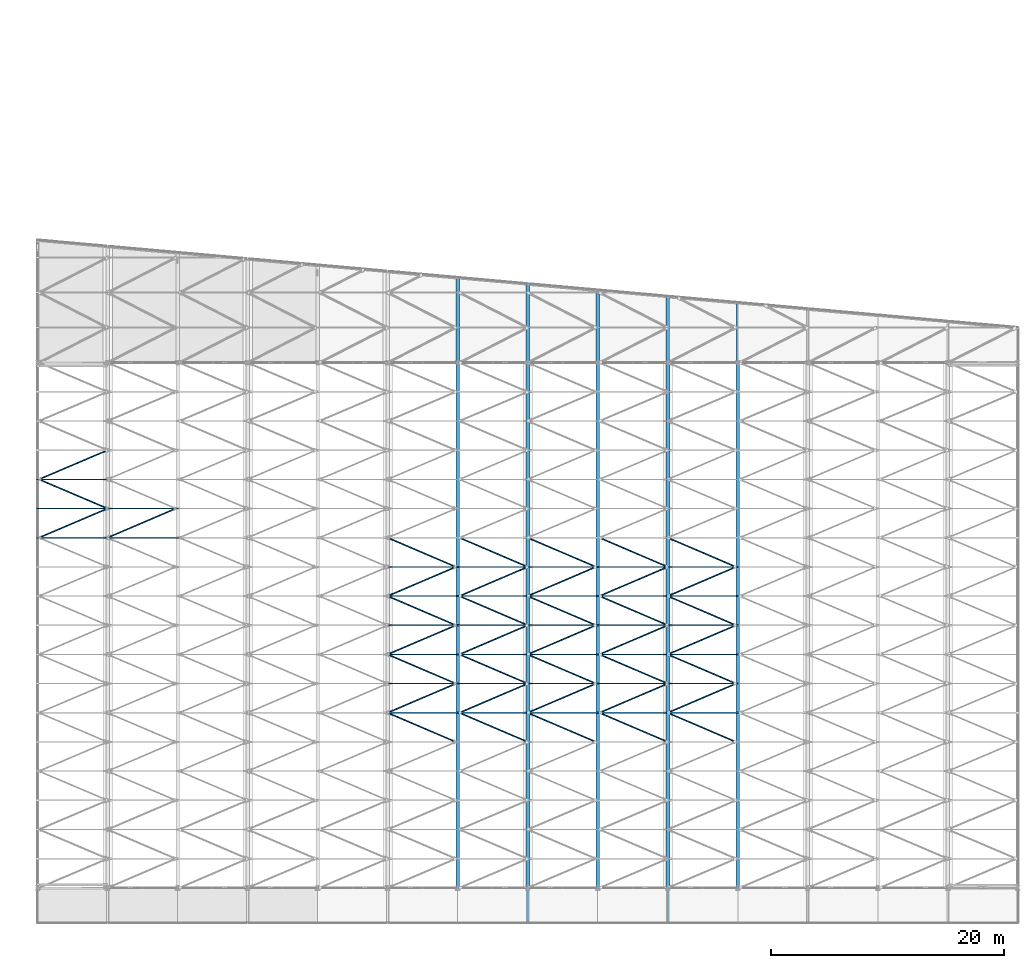
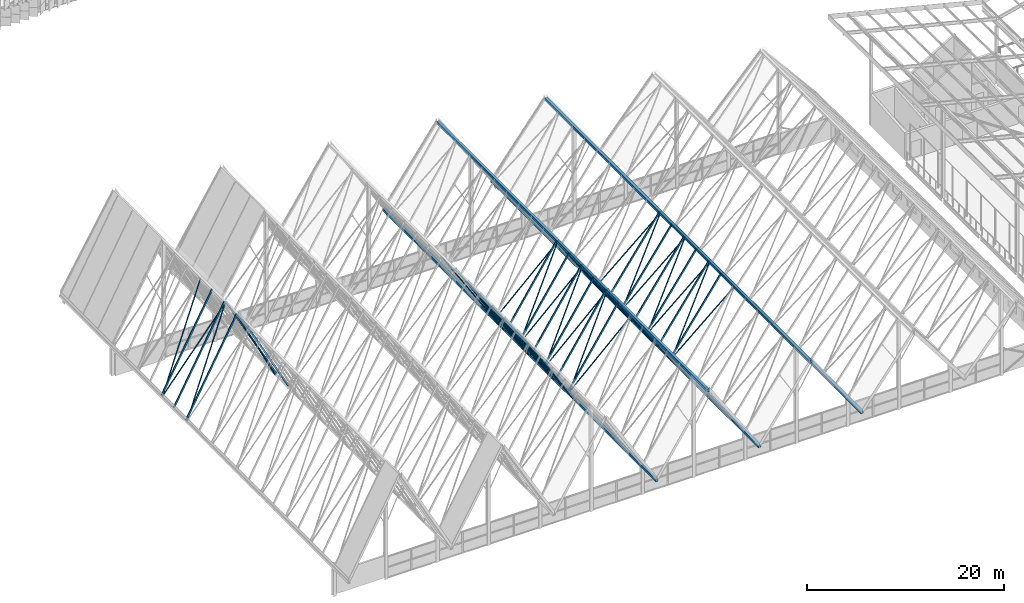
# One storey, part 18 of 483: 79 members.
"""IFC4 building model written with IfcOpenShell, lengths in metres."""

from ifc_helpers import new_model, si_unit, direction, frame, origin, origin_2d, place, context, subcontext, project, spatial, hollow_rectangle, hollow_circle, extrude, material, material_profile, profile_set, type_object, element, save


model = new_model("IFC4")

# Units and contexts
model_context = context("Model", 3, precision=1e-05, world=origin(), true_north=direction((0.0, 1.0)))
body_context = subcontext(model_context, "Body", "Model", "MODEL_VIEW")
ifc_project = project(units=[si_unit("LENGTHUNIT", "METRE"), si_unit("AREAUNIT", "SQUARE_METRE"), si_unit("VOLUMEUNIT", "CUBIC_METRE"), si_unit("PLANEANGLEUNIT", "RADIAN"), si_unit("MASSUNIT", "GRAM", prefix="KILO")], contexts=[model_context])

# Site, building, storey
site_placement = place(None, origin())
site = spatial("IfcSite", under=ifc_project, at=site_placement, CompositionType="ELEMENT")
building_placement = place(site_placement, origin())
building = spatial("IfcBuilding", under=site, at=building_placement, Name="Parallax Yard Mobility Hub", CompositionType="ELEMENT")
storey_placement = place(building_placement, frame((0.0, 0.0, 13.199951171875)))
storey = spatial("IfcBuildingStorey", under=building, at=storey_placement, Name="L04", CompositionType="ELEMENT", Elevation=13.199951171875)

# Members
ifc_material = material(Name="Steel ASTM A500 Gr C", Category="steel")
ifc_material_profile_1 = material_profile(ifc_material, hollow_rectangle(XDim=0.3046875, YDim=0.3046875, WallThickness=0.0126953125, at=origin_2d()), Name="HSS305x305x12.7")
ifc_profile_set_1 = profile_set([ifc_material_profile_1], Name="Steel ASTM A500 Gr C")
member_type_1 = type_object("IfcMemberType", Name="Fold chord HSS305x305x12.7", PredefinedType="CHORD", material=ifc_profile_set_1)
member_1_placement = place(storey_placement, frame((51.0, 4.5, 12.452392578125), z_axis=(0.0, 1.0, 0.0), x_axis=(-1.0, 0.0, 0.0)))
element("IfcMember", 1, at=member_1_placement, inside=storey, type_object=member_type_1, Name="Fold line F8 chord", PredefinedType="CHORD", context=body_context, shape_type="SweptSolid", body=[
    extrude(hollow_rectangle(XDim=0.3046875, YDim=0.3046875, WallThickness=0.0126953125, at=origin_2d()), origin(), (0.0, 0.0, 1.0), 54.75),
])
member_2_placement = place(storey_placement, frame((63.0, 4.5, 11.785400390625), z_axis=(0.0, 1.0, 0.0), x_axis=(-1.0, 0.0, 0.0)))
element("IfcMember", 2, at=member_2_placement, inside=storey, type_object=member_type_1, Name="Fold line F10 chord", PredefinedType="CHORD", context=body_context, shape_type="SweptSolid", body=[
    extrude(hollow_rectangle(XDim=0.3046875, YDim=0.3046875, WallThickness=0.0126953125, at=origin_2d()), origin(), (0.0, 0.0, 1.0), 53.6787109375),
])
ifc_material_profile_2 = material_profile(ifc_material, hollow_rectangle(XDim=0.3046875, YDim=0.3046875, WallThickness=0.009521484375, at=origin_2d()), Name="HSS305x305x9.5")
ifc_profile_set_2 = profile_set([ifc_material_profile_2], Name="Steel ASTM A500 Gr C")
member_type_2 = type_object("IfcMemberType", Name="Fold chord HSS305x305x9.5", PredefinedType="CHORD", material=ifc_profile_set_2)
member_3_placement = place(storey_placement, frame((45.0, 4.5, 3.452392578125), z_axis=(0.0, 1.0, 0.0), x_axis=(-1.0, 0.0, 0.0)))
element("IfcMember", 3, at=member_3_placement, inside=storey, type_object=member_type_2, Name="Fold line F7 chord", PredefinedType="CHORD", context=body_context, shape_type="SweptSolid", body=[
    extrude(hollow_rectangle(XDim=0.3046875, YDim=0.3046875, WallThickness=0.009521484375, at=origin_2d()), origin(), (0.0, 0.0, 1.0), 55.28564453125),
])
member_4_placement = place(storey_placement, frame((57.0, 4.5, 3.452392578125), z_axis=(0.0, 1.0, 0.0), x_axis=(-1.0, 0.0, 0.0)))
element("IfcMember", 4, at=member_4_placement, inside=storey, type_object=member_type_2, Name="Fold line F9 chord", PredefinedType="CHORD", context=body_context, shape_type="SweptSolid", body=[
    extrude(hollow_rectangle(XDim=0.3046875, YDim=0.3046875, WallThickness=0.009521484375, at=origin_2d()), origin(), (0.0, 0.0, 1.0), 54.21435546875),
])
member_5_placement = place(storey_placement, frame((69.0, 4.5, 3.452392578125), z_axis=(0.0, 1.0, 0.0), x_axis=(-1.0, 0.0, 0.0)))
element("IfcMember", 5, at=member_5_placement, inside=storey, type_object=member_type_2, Name="Fold line F11 chord", PredefinedType="CHORD", context=body_context, shape_type="SweptSolid", body=[
    extrude(hollow_rectangle(XDim=0.3046875, YDim=0.3046875, WallThickness=0.009521484375, at=origin_2d()), origin(), (0.0, 0.0, 1.0), 53.142822265625),
])
ifc_material_profile_3 = material_profile(ifc_material, hollow_circle(Radius=0.06982421875, WallThickness=0.00634765625, at=origin_2d()), Name="HSS139.7x6.4")
ifc_profile_set_3 = profile_set([ifc_material_profile_3], Name="Steel ASTM A500 Gr C")
member_type_3 = type_object("IfcMemberType", Name="Plate diagonal HSS139.7x6.4", PredefinedType="BRACE", material=ifc_profile_set_3)
member_6_placement = place(storey_placement, frame((68.84765625, 20.0, 3.4111328125), z_axis=(-0.55979258078, 0.239323481429, 0.793319946643), x_axis=(-0.393103707527, -0.919494140888, 0.0)))
element("IfcMember", 6, at=member_6_placement, inside=storey, type_object=member_type_3, Name="Plate diagonal plate F10-F11 bay 6", PredefinedType="BRACE", context=body_context, shape_type="SweptSolid", body=[
    extrude(hollow_circle(Radius=0.06982421875, WallThickness=0.00634765625, at=origin_2d()), origin(), (0.0, 0.0, 1.0), 10.446044921875),
])
member_7_placement = place(storey_placement, frame((44.84765625, 20.0, 3.4130859375), z_axis=(-0.507735199294, 0.217067820673, 0.833718494833), x_axis=(-0.393103707527, -0.919494140888, 0.0)))
element("IfcMember", 7, at=member_7_placement, inside=storey, type_object=member_type_3, Name="Plate diagonal plate F6-F7 bay 6", PredefinedType="BRACE", context=body_context, shape_type="SweptSolid", body=[
    extrude(hollow_circle(Radius=0.06982421875, WallThickness=0.00634765625, at=origin_2d()), origin(), (0.0, 0.0, 1.0), 11.51708984375),
])
for number, where, z_axis, x_axis, name in (
    (8, (51.0, 20.0, 12.35693359375), (-0.532816122499, 0.227790459853, -0.814996003674), (-0.393103707527, -0.919494140888, 0.0), "Plate diagonal plate F7-F8 bay 6"),
    (9, (56.84765625, 20.0, 3.412353515625), (-0.532816122499, 0.227790459853, 0.814996003674), (-0.393103707527, -0.919494140888, 0.0), "Plate diagonal plate F8-F9 bay 6"),
):
    element("IfcMember", number, at=place(storey_placement, frame(where, z_axis=z_axis, x_axis=x_axis)), inside=storey, type_object=member_type_3, Name=name, PredefinedType="BRACE", context=body_context, shape_type="SweptSolid", body=[
        extrude(hollow_circle(Radius=0.06982421875, WallThickness=0.00634765625, at=origin_2d()), origin(), (0.0, 0.0, 1.0), 10.97509765625),
    ])
for number, where, z_axis, x_axis, name in (
    (10, (63.0, 20.0, 11.6982421875), (-0.55979258078, 0.239323481429, -0.793319946643), (-0.393103707527, -0.919494140888, 0.0), "Plate diagonal plate F9-F10 bay 6"),
    (11, (63.0, 22.5, 11.6982421875), (0.55979258078, 0.239323481429, -0.793319946643), (-0.393103707527, 0.919494140888, 0.0), "Plate diagonal plate F10-F11 bay 7"),
):
    element("IfcMember", number, at=place(storey_placement, frame(where, z_axis=z_axis, x_axis=x_axis)), inside=storey, type_object=member_type_3, Name=name, PredefinedType="BRACE", context=body_context, shape_type="SweptSolid", body=[
        extrude(hollow_circle(Radius=0.06982421875, WallThickness=0.00634765625, at=origin_2d()), origin(), (0.0, 0.0, 1.0), 10.446044921875),
    ])
member_8_placement = place(storey_placement, frame((39.0, 22.5, 13.01513671875), z_axis=(0.507735199294, 0.217067820673, -0.833718494833), x_axis=(-0.393103707527, 0.919494140888, 0.0)))
element("IfcMember", 12, at=member_8_placement, inside=storey, type_object=member_type_3, Name="Plate diagonal plate F6-F7 bay 7", PredefinedType="BRACE", context=body_context, shape_type="SweptSolid", body=[
    extrude(hollow_circle(Radius=0.06982421875, WallThickness=0.00634765625, at=origin_2d()), origin(), (0.0, 0.0, 1.0), 11.51708984375),
])
for number, where, z_axis, x_axis, name in (
    (13, (45.15234375, 22.5, 3.412353515625), (0.532816122499, 0.227790459853, 0.814996003674), (-0.393103707527, 0.919494140888, 0.0), "Plate diagonal plate F7-F8 bay 7"),
    (14, (51.0, 22.5, 12.35693359375), (0.532816122499, 0.227790459853, -0.814996003674), (-0.393103707527, 0.919494140888, 0.0), "Plate diagonal plate F8-F9 bay 7"),
):
    element("IfcMember", number, at=place(storey_placement, frame(where, z_axis=z_axis, x_axis=x_axis)), inside=storey, type_object=member_type_3, Name=name, PredefinedType="BRACE", context=body_context, shape_type="SweptSolid", body=[
        extrude(hollow_circle(Radius=0.06982421875, WallThickness=0.00634765625, at=origin_2d()), origin(), (0.0, 0.0, 1.0), 10.97509765625),
    ])
for number, where, z_axis, x_axis, name in (
    (15, (57.15234375, 22.5, 3.4111328125), (0.55979258078, 0.239323481429, 0.793319946643), (-0.393103707527, 0.919494140888, 0.0), "Plate diagonal plate F9-F10 bay 7"),
    (16, (68.84765625, 25.0, 3.4111328125), (-0.55979258078, 0.239323481429, 0.793319946643), (-0.393103707527, -0.919494140888, 0.0), "Plate diagonal plate F10-F11 bay 8"),
):
    element("IfcMember", number, at=place(storey_placement, frame(where, z_axis=z_axis, x_axis=x_axis)), inside=storey, type_object=member_type_3, Name=name, PredefinedType="BRACE", context=body_context, shape_type="SweptSolid", body=[
        extrude(hollow_circle(Radius=0.06982421875, WallThickness=0.00634765625, at=origin_2d()), origin(), (0.0, 0.0, 1.0), 10.446044921875),
    ])
member_9_placement = place(storey_placement, frame((44.84765625, 25.0, 3.4130859375), z_axis=(-0.507735199294, 0.217067820673, 0.833718494833), x_axis=(-0.393103707527, -0.919494140888, 0.0)))
element("IfcMember", 17, at=member_9_placement, inside=storey, type_object=member_type_3, Name="Plate diagonal plate F6-F7 bay 8", PredefinedType="BRACE", context=body_context, shape_type="SweptSolid", body=[
    extrude(hollow_circle(Radius=0.06982421875, WallThickness=0.00634765625, at=origin_2d()), origin(), (0.0, 0.0, 1.0), 11.51708984375),
])
for number, where, z_axis, x_axis, name in (
    (18, (51.0, 25.0, 12.35693359375), (-0.532816122499, 0.227790459853, -0.814996003674), (-0.393103707527, -0.919494140888, 0.0), "Plate diagonal plate F7-F8 bay 8"),
    (19, (56.84765625, 25.0, 3.412353515625), (-0.532816122499, 0.227790459853, 0.814996003674), (-0.393103707527, -0.919494140888, 0.0), "Plate diagonal plate F8-F9 bay 8"),
):
    element("IfcMember", number, at=place(storey_placement, frame(where, z_axis=z_axis, x_axis=x_axis)), inside=storey, type_object=member_type_3, Name=name, PredefinedType="BRACE", context=body_context, shape_type="SweptSolid", body=[
        extrude(hollow_circle(Radius=0.06982421875, WallThickness=0.00634765625, at=origin_2d()), origin(), (0.0, 0.0, 1.0), 10.97509765625),
    ])
for number, where, z_axis, x_axis, name in (
    (20, (63.0, 25.0, 11.6982421875), (-0.55979258078, 0.239323481429, -0.793319946643), (-0.393103707527, -0.919494140888, 0.0), "Plate diagonal plate F9-F10 bay 8"),
    (21, (63.0, 27.5, 11.6982421875), (0.55979258078, 0.239323481429, -0.793319946643), (-0.393103707527, 0.919494140888, 0.0), "Plate diagonal plate F10-F11 bay 9"),
):
    element("IfcMember", number, at=place(storey_placement, frame(where, z_axis=z_axis, x_axis=x_axis)), inside=storey, type_object=member_type_3, Name=name, PredefinedType="BRACE", context=body_context, shape_type="SweptSolid", body=[
        extrude(hollow_circle(Radius=0.06982421875, WallThickness=0.00634765625, at=origin_2d()), origin(), (0.0, 0.0, 1.0), 10.446044921875),
    ])
member_10_placement = place(storey_placement, frame((39.0, 27.5, 13.01513671875), z_axis=(0.507735199294, 0.217067820673, -0.833718494833), x_axis=(-0.393103707527, 0.919494140888, 0.0)))
element("IfcMember", 22, at=member_10_placement, inside=storey, type_object=member_type_3, Name="Plate diagonal plate F6-F7 bay 9", PredefinedType="BRACE", context=body_context, shape_type="SweptSolid", body=[
    extrude(hollow_circle(Radius=0.06982421875, WallThickness=0.00634765625, at=origin_2d()), origin(), (0.0, 0.0, 1.0), 11.51708984375),
])
for number, where, z_axis, x_axis, name in (
    (23, (45.15234375, 27.5, 3.412353515625), (0.532816122499, 0.227790459853, 0.814996003674), (-0.393103707527, 0.919494140888, 0.0), "Plate diagonal plate F7-F8 bay 9"),
    (24, (51.0, 27.5, 12.35693359375), (0.532816122499, 0.227790459853, -0.814996003674), (-0.393103707527, 0.919494140888, 0.0), "Plate diagonal plate F8-F9 bay 9"),
):
    element("IfcMember", number, at=place(storey_placement, frame(where, z_axis=z_axis, x_axis=x_axis)), inside=storey, type_object=member_type_3, Name=name, PredefinedType="BRACE", context=body_context, shape_type="SweptSolid", body=[
        extrude(hollow_circle(Radius=0.06982421875, WallThickness=0.00634765625, at=origin_2d()), origin(), (0.0, 0.0, 1.0), 10.97509765625),
    ])
for number, where, z_axis, x_axis, name in (
    (25, (57.15234375, 27.5, 3.4111328125), (0.55979258078, 0.239323481429, 0.793319946643), (-0.393103707527, 0.919494140888, 0.0), "Plate diagonal plate F9-F10 bay 9"),
    (26, (68.84765625, 30.0, 3.4111328125), (-0.55979258078, 0.239323481429, 0.793319946643), (-0.393103707527, -0.919494140888, 0.0), "Plate diagonal plate F10-F11 bay 10"),
):
    element("IfcMember", number, at=place(storey_placement, frame(where, z_axis=z_axis, x_axis=x_axis)), inside=storey, type_object=member_type_3, Name=name, PredefinedType="BRACE", context=body_context, shape_type="SweptSolid", body=[
        extrude(hollow_circle(Radius=0.06982421875, WallThickness=0.00634765625, at=origin_2d()), origin(), (0.0, 0.0, 1.0), 10.446044921875),
    ])
member_11_placement = place(storey_placement, frame((44.84765625, 30.0, 3.4130859375), z_axis=(-0.507735199294, 0.217067820673, 0.833718494833), x_axis=(-0.393103707527, -0.919494140888, 0.0)))
element("IfcMember", 27, at=member_11_placement, inside=storey, type_object=member_type_3, Name="Plate diagonal plate F6-F7 bay 10", PredefinedType="BRACE", context=body_context, shape_type="SweptSolid", body=[
    extrude(hollow_circle(Radius=0.06982421875, WallThickness=0.00634765625, at=origin_2d()), origin(), (0.0, 0.0, 1.0), 11.51708984375),
])
for number, where, z_axis, x_axis, name in (
    (28, (51.0, 30.0, 12.35693359375), (-0.532816122499, 0.227790459853, -0.814996003674), (-0.393103707527, -0.919494140888, 0.0), "Plate diagonal plate F7-F8 bay 10"),
    (29, (56.84765625, 30.0, 3.412353515625), (-0.532816122499, 0.227790459853, 0.814996003674), (-0.393103707527, -0.919494140888, 0.0), "Plate diagonal plate F8-F9 bay 10"),
):
    element("IfcMember", number, at=place(storey_placement, frame(where, z_axis=z_axis, x_axis=x_axis)), inside=storey, type_object=member_type_3, Name=name, PredefinedType="BRACE", context=body_context, shape_type="SweptSolid", body=[
        extrude(hollow_circle(Radius=0.06982421875, WallThickness=0.00634765625, at=origin_2d()), origin(), (0.0, 0.0, 1.0), 10.97509765625),
    ])
for number, where, z_axis, x_axis, name in (
    (30, (63.0, 30.0, 11.6982421875), (-0.55979258078, 0.239323481429, -0.793319946643), (-0.393103707527, -0.919494140888, 0.0), "Plate diagonal plate F9-F10 bay 10"),
    (31, (63.0, 32.5, 11.6982421875), (0.55979258078, 0.239323481429, -0.793319946643), (-0.393103707527, 0.919494140888, 0.0), "Plate diagonal plate F10-F11 bay 11"),
):
    element("IfcMember", number, at=place(storey_placement, frame(where, z_axis=z_axis, x_axis=x_axis)), inside=storey, type_object=member_type_3, Name=name, PredefinedType="BRACE", context=body_context, shape_type="SweptSolid", body=[
        extrude(hollow_circle(Radius=0.06982421875, WallThickness=0.00634765625, at=origin_2d()), origin(), (0.0, 0.0, 1.0), 10.446044921875),
    ])
member_12_placement = place(storey_placement, frame((39.0, 32.5, 13.01513671875), z_axis=(0.507735199294, 0.217067820673, -0.833718494833), x_axis=(-0.393103707527, 0.919494140888, 0.0)))
element("IfcMember", 32, at=member_12_placement, inside=storey, type_object=member_type_3, Name="Plate diagonal plate F6-F7 bay 11", PredefinedType="BRACE", context=body_context, shape_type="SweptSolid", body=[
    extrude(hollow_circle(Radius=0.06982421875, WallThickness=0.00634765625, at=origin_2d()), origin(), (0.0, 0.0, 1.0), 11.51708984375),
])
for number, where, z_axis, x_axis, name in (
    (33, (45.15234375, 32.5, 3.412353515625), (0.532816122499, 0.227790459853, 0.814996003674), (-0.393103707527, 0.919494140888, 0.0), "Plate diagonal plate F7-F8 bay 11"),
    (34, (51.0, 32.5, 12.35693359375), (0.532816122499, 0.227790459853, -0.814996003674), (-0.393103707527, 0.919494140888, 0.0), "Plate diagonal plate F8-F9 bay 11"),
):
    element("IfcMember", number, at=place(storey_placement, frame(where, z_axis=z_axis, x_axis=x_axis)), inside=storey, type_object=member_type_3, Name=name, PredefinedType="BRACE", context=body_context, shape_type="SweptSolid", body=[
        extrude(hollow_circle(Radius=0.06982421875, WallThickness=0.00634765625, at=origin_2d()), origin(), (0.0, 0.0, 1.0), 10.97509765625),
    ])
for number, where, z_axis, x_axis, name in (
    (35, (57.15234375, 32.5, 3.4111328125), (0.55979258078, 0.239323481429, 0.793319946643), (-0.393103707527, 0.919494140888, 0.0), "Plate diagonal plate F9-F10 bay 11"),
    (36, (68.84765625, 35.0, 3.4111328125), (-0.55979258078, 0.239323481429, 0.793319946643), (-0.393103707527, -0.919494140888, 0.0), "Plate diagonal plate F10-F11 bay 12"),
):
    element("IfcMember", number, at=place(storey_placement, frame(where, z_axis=z_axis, x_axis=x_axis)), inside=storey, type_object=member_type_3, Name=name, PredefinedType="BRACE", context=body_context, shape_type="SweptSolid", body=[
        extrude(hollow_circle(Radius=0.06982421875, WallThickness=0.00634765625, at=origin_2d()), origin(), (0.0, 0.0, 1.0), 10.446044921875),
    ])
member_13_placement = place(storey_placement, frame((44.84765625, 35.0, 3.4130859375), z_axis=(-0.507735199294, 0.217067820673, 0.833718494833), x_axis=(-0.393103707527, -0.919494140888, 0.0)))
element("IfcMember", 37, at=member_13_placement, inside=storey, type_object=member_type_3, Name="Plate diagonal plate F6-F7 bay 12", PredefinedType="BRACE", context=body_context, shape_type="SweptSolid", body=[
    extrude(hollow_circle(Radius=0.06982421875, WallThickness=0.00634765625, at=origin_2d()), origin(), (0.0, 0.0, 1.0), 11.51708984375),
])
for number, where, z_axis, x_axis, name in (
    (38, (51.0, 35.0, 12.35693359375), (-0.532816122499, 0.227790459853, -0.814996003674), (-0.393103707527, -0.919494140888, 0.0), "Plate diagonal plate F7-F8 bay 12"),
    (39, (56.84765625, 35.0, 3.412353515625), (-0.532816122499, 0.227790459853, 0.814996003674), (-0.393103707527, -0.919494140888, 0.0), "Plate diagonal plate F8-F9 bay 12"),
):
    element("IfcMember", number, at=place(storey_placement, frame(where, z_axis=z_axis, x_axis=x_axis)), inside=storey, type_object=member_type_3, Name=name, PredefinedType="BRACE", context=body_context, shape_type="SweptSolid", body=[
        extrude(hollow_circle(Radius=0.06982421875, WallThickness=0.00634765625, at=origin_2d()), origin(), (0.0, 0.0, 1.0), 10.97509765625),
    ])
member_14_placement = place(storey_placement, frame((63.0, 35.0, 11.6982421875), z_axis=(-0.55979258078, 0.239323481429, -0.793319946643), x_axis=(-0.393103707527, -0.919494140888, 0.0)))
element("IfcMember", 40, at=member_14_placement, inside=storey, type_object=member_type_3, Name="Plate diagonal plate F9-F10 bay 12", PredefinedType="BRACE", context=body_context, shape_type="SweptSolid", body=[
    extrude(hollow_circle(Radius=0.06982421875, WallThickness=0.00634765625, at=origin_2d()), origin(), (0.0, 0.0, 1.0), 10.446044921875),
])
member_15_placement = place(storey_placement, frame((9.126953125, 37.5, 3.366455078125), z_axis=(0.462980370369, 0.19707844166, 0.864181268303), x_axis=(-0.391665406317, 0.920107716246, 0.0)))
element("IfcMember", 41, at=member_15_placement, inside=storey, type_object=member_type_3, Name="Plate diagonal plate F1-F2 bay 13", PredefinedType="BRACE", context=body_context, shape_type="SweptSolid", body=[
    extrude(hollow_circle(Radius=0.06982421875, WallThickness=0.00634765625, at=origin_2d()), origin(), (0.0, 0.0, 1.0), 12.685302734375),
])
member_16_placement = place(storey_placement, frame((15.0, 37.5, 14.328857421875), z_axis=(0.462901196047, 0.197900310935, -0.864035849736), x_axis=(-0.393103707527, 0.919494140888, 0.0)))
element("IfcMember", 42, at=member_16_placement, inside=storey, type_object=member_type_3, Name="Plate diagonal plate F2-F3 bay 13", PredefinedType="BRACE", context=body_context, shape_type="SweptSolid", body=[
    extrude(hollow_circle(Radius=0.06982421875, WallThickness=0.00634765625, at=origin_2d()), origin(), (0.0, 0.0, 1.0), 12.632568359375),
])
for number, where, z_axis, x_axis, name in (
    (43, (15.0, 40.0, 14.328857421875), (-0.462980370369, 0.19707844166, -0.864181268303), (-0.391665406317, -0.920107716246, 0.0), "Plate diagonal plate F1-F2 bay 14"),
    (44, (9.126953125, 42.5, 3.366455078125), (0.462980370369, 0.19707844166, 0.864181268303), (-0.391665406317, 0.920107716246, 0.0), "Plate diagonal plate F1-F2 bay 15"),
):
    element("IfcMember", number, at=place(storey_placement, frame(where, z_axis=z_axis, x_axis=x_axis)), inside=storey, type_object=member_type_3, Name=name, PredefinedType="BRACE", context=body_context, shape_type="SweptSolid", body=[
        extrude(hollow_circle(Radius=0.06982421875, WallThickness=0.00634765625, at=origin_2d()), origin(), (0.0, 0.0, 1.0), 12.685302734375),
    ])
ifc_material_profile_4 = material_profile(ifc_material, hollow_rectangle(XDim=0.1015625, YDim=0.203125, WallThickness=0.00634765625, at=origin_2d()), Name="HSS203x102x6.4")
ifc_profile_set_4 = profile_set([ifc_material_profile_4], Name="Steel ASTM A500 Gr C")
member_type_4 = type_object("IfcMemberType", Name="Roof rafter HSS203x102x6.4", PredefinedType="RAFTER", material=ifc_profile_set_4)
member_17_placement = place(storey_placement, frame((39.065673828125, 22.5, 13.237060546875), z_axis=(0.520123935721, 0.0, -0.854090798153), x_axis=(0.0, 1.0, 0.0)))
element("IfcMember", 45, at=member_17_placement, inside=storey, type_object=member_type_4, Name="Roof rafter plate F6-F7 at y 22.5", PredefinedType="RAFTER", context=body_context, shape_type="SweptSolid", body=[
    extrude(hollow_rectangle(XDim=0.1015625, YDim=0.203125, WallThickness=0.00634765625, at=origin_2d()), origin(), (0.0, 0.0, 1.0), 11.376953125),
])
for number, where, z_axis, x_axis, name in (
    (46, (45.014892578125, 22.5, 3.515380859375), (0.54720191895, 0.0, 0.837000633152), (0.0, 1.0, 0.0), "Roof rafter plate F7-F8 at y 22.5"),
    (47, (51.0673828125, 22.5, 12.567138671875), (0.54720191895, 0.0, -0.837000633152), (0.0, 1.0, 0.0), "Roof rafter plate F8-F9 at y 22.5"),
):
    element("IfcMember", number, at=place(storey_placement, frame(where, z_axis=z_axis, x_axis=x_axis)), inside=storey, type_object=member_type_4, Name=name, PredefinedType="RAFTER", context=body_context, shape_type="SweptSolid", body=[
        extrude(hollow_rectangle(XDim=0.1015625, YDim=0.203125, WallThickness=0.00634765625, at=origin_2d()), origin(), (0.0, 0.0, 1.0), 10.814453125),
    ])
for number, where, z_axis, x_axis, name in (
    (48, (57.012939453125, 22.5, 3.5107421875), (0.576532840319, 0.0, 0.817073977088), (0.0, 1.0, 0.0), "Roof rafter plate F9-F10 at y 22.5"),
    (49, (63.0693359375, 22.5, 11.8974609375), (0.576532840319, 0.0, -0.817073977088), (0.0, 1.0, 0.0), "Roof rafter plate F10-F11 at y 22.5"),
):
    element("IfcMember", number, at=place(storey_placement, frame(where, z_axis=z_axis, x_axis=x_axis)), inside=storey, type_object=member_type_4, Name=name, PredefinedType="RAFTER", context=body_context, shape_type="SweptSolid", body=[
        extrude(hollow_rectangle(XDim=0.1015625, YDim=0.203125, WallThickness=0.00634765625, at=origin_2d()), origin(), (0.0, 0.0, 1.0), 10.264404296875),
    ])
member_18_placement = place(storey_placement, frame((39.065673828125, 25.0, 13.237060546875), z_axis=(0.520123935721, 0.0, -0.854090798153), x_axis=(0.0, 1.0, 0.0)))
element("IfcMember", 50, at=member_18_placement, inside=storey, type_object=member_type_4, Name="Roof rafter plate F6-F7 at y 25", PredefinedType="RAFTER", context=body_context, shape_type="SweptSolid", body=[
    extrude(hollow_rectangle(XDim=0.1015625, YDim=0.203125, WallThickness=0.00634765625, at=origin_2d()), origin(), (0.0, 0.0, 1.0), 11.376953125),
])
for number, where, z_axis, x_axis, name in (
    (51, (45.014892578125, 25.0, 3.515380859375), (0.54720191895, 0.0, 0.837000633152), (0.0, 1.0, 0.0), "Roof rafter plate F7-F8 at y 25"),
    (52, (51.0673828125, 25.0, 12.567138671875), (0.54720191895, 0.0, -0.837000633152), (0.0, 1.0, 0.0), "Roof rafter plate F8-F9 at y 25"),
):
    element("IfcMember", number, at=place(storey_placement, frame(where, z_axis=z_axis, x_axis=x_axis)), inside=storey, type_object=member_type_4, Name=name, PredefinedType="RAFTER", context=body_context, shape_type="SweptSolid", body=[
        extrude(hollow_rectangle(XDim=0.1015625, YDim=0.203125, WallThickness=0.00634765625, at=origin_2d()), origin(), (0.0, 0.0, 1.0), 10.814453125),
    ])
for number, where, z_axis, x_axis, name in (
    (53, (57.012939453125, 25.0, 3.5107421875), (0.576532840319, 0.0, 0.817073977088), (0.0, 1.0, 0.0), "Roof rafter plate F9-F10 at y 25"),
    (54, (63.0693359375, 25.0, 11.8974609375), (0.576532840319, 0.0, -0.817073977088), (0.0, 1.0, 0.0), "Roof rafter plate F10-F11 at y 25"),
):
    element("IfcMember", number, at=place(storey_placement, frame(where, z_axis=z_axis, x_axis=x_axis)), inside=storey, type_object=member_type_4, Name=name, PredefinedType="RAFTER", context=body_context, shape_type="SweptSolid", body=[
        extrude(hollow_rectangle(XDim=0.1015625, YDim=0.203125, WallThickness=0.00634765625, at=origin_2d()), origin(), (0.0, 0.0, 1.0), 10.264404296875),
    ])
member_19_placement = place(storey_placement, frame((39.065673828125, 27.5, 13.237060546875), z_axis=(0.520123935721, 0.0, -0.854090798153), x_axis=(0.0, 1.0, 0.0)))
element("IfcMember", 55, at=member_19_placement, inside=storey, type_object=member_type_4, Name="Roof rafter plate F6-F7 at y 27.5", PredefinedType="RAFTER", context=body_context, shape_type="SweptSolid", body=[
    extrude(hollow_rectangle(XDim=0.1015625, YDim=0.203125, WallThickness=0.00634765625, at=origin_2d()), origin(), (0.0, 0.0, 1.0), 11.376953125),
])
for number, where, z_axis, x_axis, name in (
    (56, (45.014892578125, 27.5, 3.515380859375), (0.54720191895, 0.0, 0.837000633152), (0.0, 1.0, 0.0), "Roof rafter plate F7-F8 at y 27.5"),
    (57, (51.0673828125, 27.5, 12.567138671875), (0.54720191895, 0.0, -0.837000633152), (0.0, 1.0, 0.0), "Roof rafter plate F8-F9 at y 27.5"),
):
    element("IfcMember", number, at=place(storey_placement, frame(where, z_axis=z_axis, x_axis=x_axis)), inside=storey, type_object=member_type_4, Name=name, PredefinedType="RAFTER", context=body_context, shape_type="SweptSolid", body=[
        extrude(hollow_rectangle(XDim=0.1015625, YDim=0.203125, WallThickness=0.00634765625, at=origin_2d()), origin(), (0.0, 0.0, 1.0), 10.814453125),
    ])
for number, where, z_axis, x_axis, name in (
    (58, (57.012939453125, 27.5, 3.5107421875), (0.576532840319, 0.0, 0.817073977088), (0.0, 1.0, 0.0), "Roof rafter plate F9-F10 at y 27.5"),
    (59, (63.0693359375, 27.5, 11.8974609375), (0.576532840319, 0.0, -0.817073977088), (0.0, 1.0, 0.0), "Roof rafter plate F10-F11 at y 27.5"),
):
    element("IfcMember", number, at=place(storey_placement, frame(where, z_axis=z_axis, x_axis=x_axis)), inside=storey, type_object=member_type_4, Name=name, PredefinedType="RAFTER", context=body_context, shape_type="SweptSolid", body=[
        extrude(hollow_rectangle(XDim=0.1015625, YDim=0.203125, WallThickness=0.00634765625, at=origin_2d()), origin(), (0.0, 0.0, 1.0), 10.264404296875),
    ])
member_20_placement = place(storey_placement, frame((39.065673828125, 30.0, 13.237060546875), z_axis=(0.520123935721, 0.0, -0.854090798153), x_axis=(0.0, 1.0, 0.0)))
element("IfcMember", 60, at=member_20_placement, inside=storey, type_object=member_type_4, Name="Roof rafter plate F6-F7 at y 30", PredefinedType="RAFTER", context=body_context, shape_type="SweptSolid", body=[
    extrude(hollow_rectangle(XDim=0.1015625, YDim=0.203125, WallThickness=0.00634765625, at=origin_2d()), origin(), (0.0, 0.0, 1.0), 11.376953125),
])
for number, where, z_axis, x_axis, name in (
    (61, (45.014892578125, 30.0, 3.515380859375), (0.54720191895, 0.0, 0.837000633152), (0.0, 1.0, 0.0), "Roof rafter plate F7-F8 at y 30"),
    (62, (51.0673828125, 30.0, 12.567138671875), (0.54720191895, 0.0, -0.837000633152), (0.0, 1.0, 0.0), "Roof rafter plate F8-F9 at y 30"),
):
    element("IfcMember", number, at=place(storey_placement, frame(where, z_axis=z_axis, x_axis=x_axis)), inside=storey, type_object=member_type_4, Name=name, PredefinedType="RAFTER", context=body_context, shape_type="SweptSolid", body=[
        extrude(hollow_rectangle(XDim=0.1015625, YDim=0.203125, WallThickness=0.00634765625, at=origin_2d()), origin(), (0.0, 0.0, 1.0), 10.814453125),
    ])
for number, where, z_axis, x_axis, name in (
    (63, (57.012939453125, 30.0, 3.5107421875), (0.576532840319, 0.0, 0.817073977088), (0.0, 1.0, 0.0), "Roof rafter plate F9-F10 at y 30"),
    (64, (63.0693359375, 30.0, 11.8974609375), (0.576532840319, 0.0, -0.817073977088), (0.0, 1.0, 0.0), "Roof rafter plate F10-F11 at y 30"),
):
    element("IfcMember", number, at=place(storey_placement, frame(where, z_axis=z_axis, x_axis=x_axis)), inside=storey, type_object=member_type_4, Name=name, PredefinedType="RAFTER", context=body_context, shape_type="SweptSolid", body=[
        extrude(hollow_rectangle(XDim=0.1015625, YDim=0.203125, WallThickness=0.00634765625, at=origin_2d()), origin(), (0.0, 0.0, 1.0), 10.264404296875),
    ])
member_21_placement = place(storey_placement, frame((39.065673828125, 32.5, 13.237060546875), z_axis=(0.520123935721, 0.0, -0.854090798153), x_axis=(0.0, 1.0, 0.0)))
element("IfcMember", 65, at=member_21_placement, inside=storey, type_object=member_type_4, Name="Roof rafter plate F6-F7 at y 32.5", PredefinedType="RAFTER", context=body_context, shape_type="SweptSolid", body=[
    extrude(hollow_rectangle(XDim=0.1015625, YDim=0.203125, WallThickness=0.00634765625, at=origin_2d()), origin(), (0.0, 0.0, 1.0), 11.376953125),
])
for number, where, z_axis, x_axis, name in (
    (66, (45.014892578125, 32.5, 3.515380859375), (0.54720191895, 0.0, 0.837000633152), (0.0, 1.0, 0.0), "Roof rafter plate F7-F8 at y 32.5"),
    (67, (51.0673828125, 32.5, 12.567138671875), (0.54720191895, 0.0, -0.837000633152), (0.0, 1.0, 0.0), "Roof rafter plate F8-F9 at y 32.5"),
):
    element("IfcMember", number, at=place(storey_placement, frame(where, z_axis=z_axis, x_axis=x_axis)), inside=storey, type_object=member_type_4, Name=name, PredefinedType="RAFTER", context=body_context, shape_type="SweptSolid", body=[
        extrude(hollow_rectangle(XDim=0.1015625, YDim=0.203125, WallThickness=0.00634765625, at=origin_2d()), origin(), (0.0, 0.0, 1.0), 10.814453125),
    ])
for number, where, z_axis, x_axis, name in (
    (68, (57.012939453125, 32.5, 3.5107421875), (0.576532840319, 0.0, 0.817073977088), (0.0, 1.0, 0.0), "Roof rafter plate F9-F10 at y 32.5"),
    (69, (63.0693359375, 32.5, 11.8974609375), (0.576532840319, 0.0, -0.817073977088), (0.0, 1.0, 0.0), "Roof rafter plate F10-F11 at y 32.5"),
):
    element("IfcMember", number, at=place(storey_placement, frame(where, z_axis=z_axis, x_axis=x_axis)), inside=storey, type_object=member_type_4, Name=name, PredefinedType="RAFTER", context=body_context, shape_type="SweptSolid", body=[
        extrude(hollow_rectangle(XDim=0.1015625, YDim=0.203125, WallThickness=0.00634765625, at=origin_2d()), origin(), (0.0, 0.0, 1.0), 10.264404296875),
    ])
member_22_placement = place(storey_placement, frame((39.065673828125, 35.0, 13.237060546875), z_axis=(0.520123935721, 0.0, -0.854090798153), x_axis=(0.0, 1.0, 0.0)))
element("IfcMember", 70, at=member_22_placement, inside=storey, type_object=member_type_4, Name="Roof rafter plate F6-F7 at y 35", PredefinedType="RAFTER", context=body_context, shape_type="SweptSolid", body=[
    extrude(hollow_rectangle(XDim=0.1015625, YDim=0.203125, WallThickness=0.00634765625, at=origin_2d()), origin(), (0.0, 0.0, 1.0), 11.376953125),
])
for number, where, z_axis, x_axis, name in (
    (71, (45.014892578125, 35.0, 3.515380859375), (0.54720191895, 0.0, 0.837000633152), (0.0, 1.0, 0.0), "Roof rafter plate F7-F8 at y 35"),
    (72, (51.0673828125, 35.0, 12.567138671875), (0.54720191895, 0.0, -0.837000633152), (0.0, 1.0, 0.0), "Roof rafter plate F8-F9 at y 35"),
):
    element("IfcMember", number, at=place(storey_placement, frame(where, z_axis=z_axis, x_axis=x_axis)), inside=storey, type_object=member_type_4, Name=name, PredefinedType="RAFTER", context=body_context, shape_type="SweptSolid", body=[
        extrude(hollow_rectangle(XDim=0.1015625, YDim=0.203125, WallThickness=0.00634765625, at=origin_2d()), origin(), (0.0, 0.0, 1.0), 10.814453125),
    ])
for number, where, z_axis, x_axis, name in (
    (73, (57.012939453125, 35.0, 3.5107421875), (0.576532840319, 0.0, 0.817073977088), (0.0, 1.0, 0.0), "Roof rafter plate F9-F10 at y 35"),
    (74, (63.0693359375, 35.0, 11.8974609375), (0.576532840319, 0.0, -0.817073977088), (0.0, 1.0, 0.0), "Roof rafter plate F10-F11 at y 35"),
):
    element("IfcMember", number, at=place(storey_placement, frame(where, z_axis=z_axis, x_axis=x_axis)), inside=storey, type_object=member_type_4, Name=name, PredefinedType="RAFTER", context=body_context, shape_type="SweptSolid", body=[
        extrude(hollow_rectangle(XDim=0.1015625, YDim=0.203125, WallThickness=0.00634765625, at=origin_2d()), origin(), (0.0, 0.0, 1.0), 10.264404296875),
    ])
for number, where, z_axis, x_axis, name in (
    (75, (9.01953125, 37.5, 3.529052734375), (0.472246823162, 0.0, 0.881466356711), (0.0, 1.0, 0.0), "Roof rafter plate F1-F2 at y 37.5"),
    (76, (15.062744140625, 37.5, 14.57470703125), (0.472246823162, 0.0, -0.881466356711), (0.0, 1.0, 0.0), "Roof rafter plate F2-F3 at y 37.5"),
    (77, (9.01953125, 40.0, 3.529052734375), (0.472246823162, 0.0, 0.881466356711), (0.0, 1.0, 0.0), "Roof rafter plate F1-F2 at y 40"),
    (78, (15.062744140625, 40.0, 14.57470703125), (0.472246823162, 0.0, -0.881466356711), (0.0, 1.0, 0.0), "Roof rafter plate F2-F3 at y 40"),
    (79, (9.01953125, 42.5, 3.529052734375), (0.472246823162, 0.0, 0.881466356711), (0.0, 1.0, 0.0), "Roof rafter plate F1-F2 at y 42.5"),
):
    element("IfcMember", number, at=place(storey_placement, frame(where, z_axis=z_axis, x_axis=x_axis)), inside=storey, type_object=member_type_4, Name=name, PredefinedType="RAFTER", context=body_context, shape_type="SweptSolid", body=[
        extrude(hollow_rectangle(XDim=0.1015625, YDim=0.203125, WallThickness=0.00634765625, at=origin_2d()), origin(), (0.0, 0.0, 1.0), 12.531005859375),
    ])

save(model, "model.ifc")
